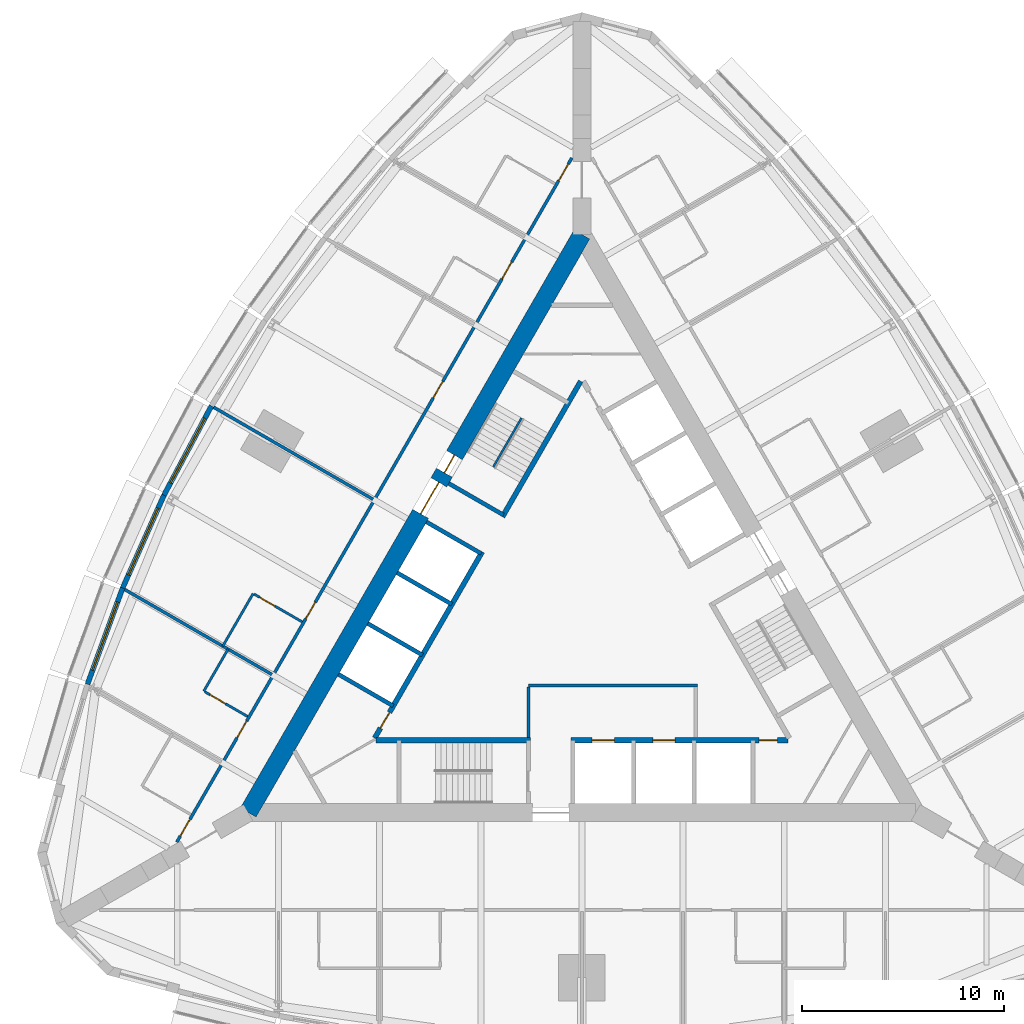
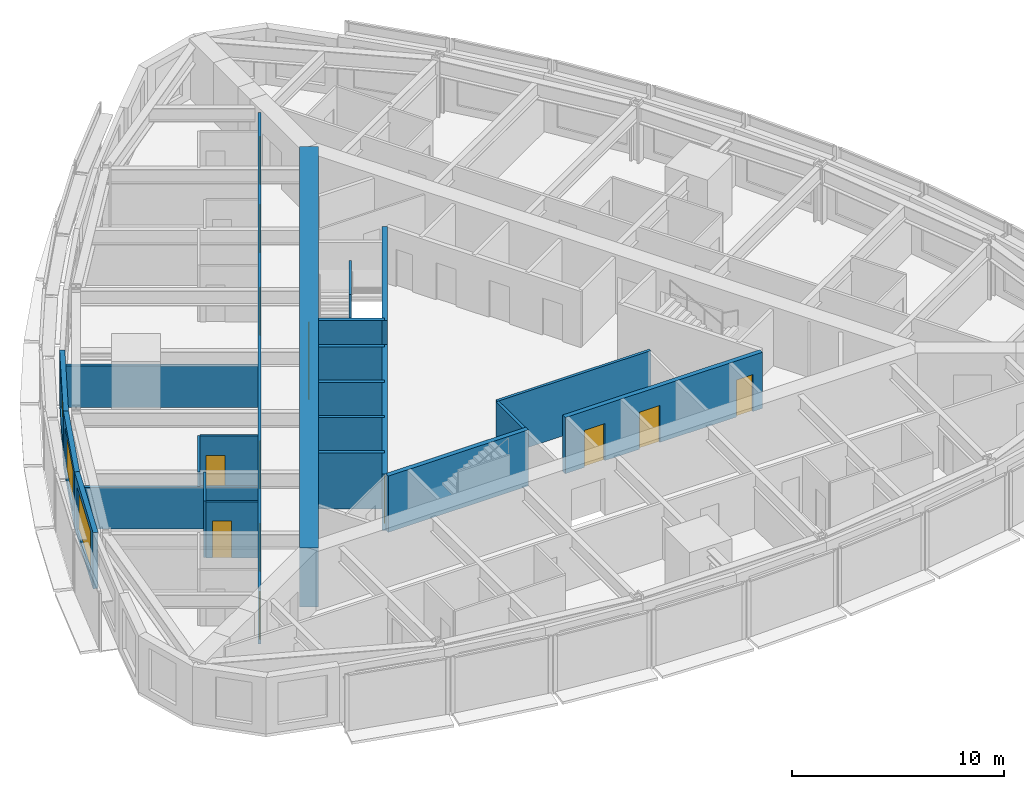
# One storey, part 9 of 14: 23 walls, 14 doors, 3 windows, 17 openings.
"""IFC4 building model written with IfcOpenShell, lengths in metres."""

from ifc_helpers import new_model, si_unit, direction, frame, frame_2d, origin, place, context, subcontext, project, spatial, rectangle, extrude, material, layer, layer_set, type_object, element, fill, save


model = new_model("IFC4")

# Units and contexts
model_context = context("Model", 3, precision=1e-05, world=origin(), true_north=direction((0.0, 1.0)))
body_context = subcontext(model_context, "Body", "Model", "MODEL_VIEW")
ifc_project = project(units=[si_unit("LENGTHUNIT", "METRE"), si_unit("AREAUNIT", "SQUARE_METRE"), si_unit("VOLUMEUNIT", "CUBIC_METRE"), si_unit("PLANEANGLEUNIT", "RADIAN"), si_unit("MASSUNIT", "GRAM", prefix="KILO")], contexts=[model_context])

# Site, building, storey
site_placement = place(None, origin())
site = spatial("IfcSite", under=ifc_project, at=site_placement, CompositionType="ELEMENT")
building_placement = place(site_placement, origin())
building = spatial("IfcBuilding", under=site, at=building_placement, Name="Trikona Tower", CompositionType="ELEMENT")
storey_placement = place(building_placement, frame((0.0, 0.0, 158.89990234375)))
storey = spatial("IfcBuildingStorey", under=building, at=storey_placement, Name="L42", CompositionType="ELEMENT", Elevation=158.89990234375)

# Wall
ifc_material_1 = material(Name="Metal stud and cement board", Category="gypsum")
ifc_layer_1 = layer(ifc_material_1, 0.1201171875)
ifc_layer_set_1 = layer_set([ifc_layer_1], Name="Bathroom wall 120")
wall_type_1 = type_object("IfcWallType", Name="Bathroom wall 120", PredefinedType="PLUMBINGWALL", material=ifc_layer_set_1)
wall_1_placement = place(storey_placement, frame((-16.25341796875, 1.301025390625, 0.0), z_axis=(0.0, 0.0, 1.0), x_axis=(-0.499990139034, -0.866031096941, 0.0)))
element("IfcWall", 1, at=wall_1_placement, inside=storey, type_object=wall_type_1, Name="Bathroom wall 4213", PredefinedType="PLUMBINGWALL", context=body_context, shape_type="SweptSolid", body=[
    extrude(rectangle(XDim=3.0, YDim=0.1201171875, at=frame_2d((1.5, 0.0))), origin(), (0.0, 0.0, 1.0), 3.235107421875),
])

# Wall, opening, door
wall_2_placement = place(storey_placement, frame((-13.82861328125, -0.09912109375, 0.0), z_axis=(0.0, 0.0, 1.0), x_axis=(-0.865997131366, 0.500048966069, 0.0)))
wall_2 = element("IfcWall", 2, at=wall_2_placement, inside=storey, type_object=wall_type_1, Name="Bathroom wall 4213", PredefinedType="PLUMBINGWALL", context=body_context, shape_type="SweptSolid", body=[
    extrude(rectangle(XDim=2.739990234375, YDim=0.1201171875, at=frame_2d((1.3701171875, 0.0))), origin(), (0.0, 0.0, 1.0), 3.235107421875),
])
opening_1_placement = place(wall_2_placement, frame((1.550048828125, 0.0, 0.0)))
opening_1 = element("IfcOpeningElement", 3, at=opening_1_placement, cuts=wall_2, Name="Opening D2", PredefinedType="OPENING", context=body_context, shape_type="SweptSolid", body=[
    extrude(rectangle(XDim=0.89990234375, YDim=2.1298828125, at=frame_2d((0.449951171875, 1.06494140625))), frame((0.0, 0.070068359375, 0.0), z_axis=(0.0, -1.0, 0.0), x_axis=(1.0, 0.0, 0.0)), (0.0, 0.0, 1.0), 0.14013671875),
])
ifc_material_2 = material(Name="Steel door frame with solid-core timber leaf", Category="steel")
door_type_1 = type_object("IfcDoorType", Name="Bathroom door 900x2130", OperationType="SLIDING_TO_LEFT", PredefinedType="DOOR", material=ifc_material_2)
door_1_placement = place(opening_1_placement, origin())
door_1 = element("IfcDoor", 4, at=door_1_placement, inside=storey, type_object=door_type_1, Name="Bathroom door 4213", OperationType="SLIDING_TO_LEFT", OverallHeight=2.1298828125, OverallWidth=0.89990234375, PredefinedType="DOOR", context=body_context, shape_type="SweptSolid", body=[
    extrude(rectangle(XDim=0.89990234375, YDim=2.1298828125, at=frame_2d((0.449951171875, 1.06494140625))), frame((0.0, 0.02490234375, 0.0), z_axis=(0.0, -1.0, 0.0), x_axis=(1.0, 0.0, 0.0)), (0.0, 0.0, 1.0), 0.050048828125),
])
fill(opening_1, door_1)

# Wall
wall_3_placement = place(storey_placement, frame((-17.493408203125, -1.447021484375, 0.0), z_axis=(0.0, 0.0, 1.0), x_axis=(-0.500033551112, -0.866006032174, 0.0)))
element("IfcWall", 5, at=wall_3_placement, inside=storey, type_object=wall_type_1, Name="Bathroom wall 4214", PredefinedType="PLUMBINGWALL", context=body_context, shape_type="SweptSolid", body=[
    extrude(rectangle(XDim=2.400146484375, YDim=0.1201171875, at=frame_2d((1.2001953125, 0.0))), origin(), (0.0, 0.0, 1.0), 3.235107421875),
])

# Wall, opening, door
wall_4_placement = place(storey_placement, frame((-16.528564453125, -4.775634765625, 0.0), z_axis=(0.0, 0.0, 1.0), x_axis=(-0.866023955769, 0.500002508028, 0.0)))
wall_4 = element("IfcWall", 6, at=wall_4_placement, inside=storey, type_object=wall_type_1, Name="Bathroom wall 4214", PredefinedType="PLUMBINGWALL", context=body_context, shape_type="SweptSolid", body=[
    extrude(rectangle(XDim=2.43994140625, YDim=0.1201171875, at=frame_2d((1.219970703125, 0.0))), origin(), (0.0, 0.0, 1.0), 3.235107421875),
])
opening_2_placement = place(wall_4_placement, frame((1.25, 0.0, 0.0)))
opening_2 = element("IfcOpeningElement", 7, at=opening_2_placement, cuts=wall_4, Name="Opening D2", PredefinedType="OPENING", context=body_context, shape_type="SweptSolid", body=[
    extrude(rectangle(XDim=0.89990234375, YDim=2.1298828125, at=frame_2d((0.449951171875, 1.06494140625))), frame((0.0, 0.070068359375, 0.0), z_axis=(0.0, -1.0, 0.0), x_axis=(1.0, 0.0, 0.0)), (0.0, 0.0, 1.0), 0.14013671875),
])
door_2_placement = place(opening_2_placement, origin())
door_2 = element("IfcDoor", 8, at=door_2_placement, inside=storey, type_object=door_type_1, Name="Bathroom door 4214", OperationType="SLIDING_TO_LEFT", OverallHeight=2.1298828125, OverallWidth=0.89990234375, PredefinedType="DOOR", context=body_context, shape_type="SweptSolid", body=[
    extrude(rectangle(XDim=0.89990234375, YDim=2.1298828125, at=frame_2d((0.449951171875, 1.06494140625))), frame((0.0, 0.02490234375, 0.0), z_axis=(0.0, -1.0, 0.0), x_axis=(1.0, 0.0, 0.0)), (0.0, 0.0, 1.0), 0.050048828125),
])
fill(opening_2, door_2)

# Wall, openings, doors
ifc_material_3 = material(Name="Concrete f'c 10000 psi", Category="concrete")
ifc_layer_2 = layer(ifc_material_3, 0.89990234375)
ifc_layer_set_2 = layer_set([ifc_layer_2], Name="Core wall 900")
wall_type_2 = type_object("IfcWallType", Name="Core wall 900", PredefinedType="SHEAR", material=ifc_layer_set_2)
wall_5_placement = place(storey_placement, frame((0.0, 19.052490234375, 0.0), z_axis=(0.0, 0.0, 1.0), x_axis=(-0.499999749417, -0.866025548458, 0.0)))
wall_5 = element("IfcWall", 9, at=wall_5_placement, inside=storey, type_object=wall_type_2, Name="Core wall C", PredefinedType="SHEAR", context=body_context, shape_type="SweptSolid", body=[
    extrude(rectangle(XDim=33.0, YDim=0.89990234375, at=frame_2d((16.5, 0.0))), origin(), (0.0, 0.0, 1.0), 3.400146484375),
])
opening_3_placement = place(wall_5_placement, frame((14.14990234375, 0.0, 0.0)))
opening_3 = element("IfcOpeningElement", 10, at=opening_3_placement, cuts=wall_5, Name="Opening D6", PredefinedType="OPENING", context=body_context, shape_type="SweptSolid", body=[
    extrude(rectangle(XDim=1.800048828125, YDim=2.1298828125, at=frame_2d((0.89990234375, 1.06494140625))), frame((0.0, 0.4599609375, 0.0), z_axis=(0.0, -1.0, 0.0), x_axis=(1.0, 0.0, 0.0)), (0.0, 0.0, 1.0), 0.919921875),
])
opening_4_placement = place(wall_5_placement, frame((12.60009765625, 0.0, 0.0)))
opening_4 = element("IfcOpeningElement", 11, at=opening_4_placement, cuts=wall_5, Name="Opening D5", PredefinedType="OPENING", context=body_context, shape_type="SweptSolid", body=[
    extrude(rectangle(XDim=1.0, YDim=2.1298828125, at=frame_2d((0.5, 1.06494140625))), frame((0.0, 0.4599609375, 0.0), z_axis=(0.0, -1.0, 0.0), x_axis=(1.0, 0.0, 0.0)), (0.0, 0.0, 1.0), 0.919921875),
])
ifc_material_4 = material(Name="Hollow metal door and frame", Category="steel")
door_type_2 = type_object("IfcDoorType", Name="Lobby door pair 1800x2130", OperationType="DOUBLE_DOOR_SINGLE_SWING", PredefinedType="DOOR", material=ifc_material_4)
door_3_placement = place(opening_3_placement, origin())
door_3 = element("IfcDoor", 12, at=door_3_placement, inside=storey, type_object=door_type_2, Name="Lift lobby door C", OperationType="DOUBLE_DOOR_SINGLE_SWING", OverallHeight=2.1298828125, OverallWidth=1.800048828125, PredefinedType="DOOR", context=body_context, shape_type="SweptSolid", body=[
    extrude(rectangle(XDim=1.800048828125, YDim=2.1298828125, at=frame_2d((0.89990234375, 1.06494140625))), frame((0.0, 0.02490234375, 0.0), z_axis=(0.0, -1.0, 0.0), x_axis=(1.0, 0.0, 0.0)), (0.0, 0.0, 1.0), 0.050048828125),
])
fill(opening_3, door_3)
ifc_material_5 = material(Name="Hollow metal door and frame", Category="steel")
door_type_3 = type_object("IfcDoorType", Name="Stair door 1000x2130", OperationType="SINGLE_SWING_LEFT", PredefinedType="DOOR", material=ifc_material_5)
door_4_placement = place(opening_4_placement, origin())
door_4 = element("IfcDoor", 13, at=door_4_placement, inside=storey, type_object=door_type_3, Name="Stair C door", OperationType="SINGLE_SWING_RIGHT", OverallHeight=2.1298828125, OverallWidth=1.0, PredefinedType="DOOR", context=body_context, shape_type="SweptSolid", body=[
    extrude(rectangle(XDim=1.0, YDim=2.1298828125, at=frame_2d((0.5, 1.06494140625))), frame((0.0, 0.02490234375, 0.0), z_axis=(0.0, -1.0, 0.0), x_axis=(1.0, 0.0, 0.0)), (0.0, 0.0, 1.0), 0.050048828125),
])
fill(opening_4, door_4)

ifc_material_6 = material(Name="Metal stud and gypsum board, 1-hour", Category="gypsum")
ifc_layer_3 = layer(ifc_material_6, 0.14990234375)
ifc_layer_set_3 = layer_set([ifc_layer_3], Name="Corridor wall 150")
wall_type_3 = type_object("IfcWallType", Name="Corridor wall 150", PredefinedType="PARTITIONING", material=ifc_layer_set_3)
wall_6_placement = place(storey_placement, frame((-0.5, 22.83642578125, 0.0), z_axis=(0.0, 0.0, 1.0), x_axis=(-0.500001677587, -0.866024435227, 0.0)))
wall_6 = element("IfcWall", 14, at=wall_6_placement, inside=storey, type_object=wall_type_3, Name="Corridor wall L42-3", PredefinedType="PARTITIONING", context=body_context, shape_type="SweptSolid", body=[
    extrude(rectangle(XDim=39.053955078125, YDim=0.14990234375, at=frame_2d((19.52685546875, 0.0))), origin(), (0.0, 0.0, 1.0), 3.235107421875),
])
opening_5_placement = place(wall_6_placement, frame((0.35205078125, 0.0, 0.0)))
opening_5 = element("IfcOpeningElement", 15, at=opening_5_placement, cuts=wall_6, Name="Opening D1", PredefinedType="OPENING", context=body_context, shape_type="SweptSolid", body=[
    extrude(rectangle(XDim=0.949951171875, YDim=2.1298828125, at=frame_2d((0.47509765625, 1.06494140625))), frame((0.0, 0.0849609375, 0.0), z_axis=(0.0, -1.0, 0.0), x_axis=(1.0, 0.0, 0.0)), (0.0, 0.0, 1.0), 0.169921875),
])
opening_6_placement = place(wall_6_placement, frame((5.951904296875, 0.0, 0.0)))
opening_6 = element("IfcOpeningElement", 16, at=opening_6_placement, cuts=wall_6, Name="Opening D1", PredefinedType="OPENING", context=body_context, shape_type="SweptSolid", body=[
    extrude(rectangle(XDim=0.949951171875, YDim=2.1298828125, at=frame_2d((0.47509765625, 1.06494140625))), frame((0.0, 0.0849609375, 0.0), z_axis=(0.0, -1.0, 0.0), x_axis=(1.0, 0.0, 0.0)), (0.0, 0.0, 1.0), 0.169921875),
])
opening_7_placement = place(wall_6_placement, frame((12.751953125, 0.0, 0.0)))
opening_7 = element("IfcOpeningElement", 17, at=opening_7_placement, cuts=wall_6, Name="Opening D1", PredefinedType="OPENING", context=body_context, shape_type="SweptSolid", body=[
    extrude(rectangle(XDim=0.949951171875, YDim=2.1298828125, at=frame_2d((0.47509765625, 1.06494140625))), frame((0.0, 0.0849609375, 0.0), z_axis=(0.0, -1.0, 0.0), x_axis=(1.0, 0.0, 0.0)), (0.0, 0.0, 1.0), 0.169921875),
])
opening_8_placement = place(wall_6_placement, frame((25.35205078125, 0.0, 0.0)))
opening_8 = element("IfcOpeningElement", 18, at=opening_8_placement, cuts=wall_6, Name="Opening D1", PredefinedType="OPENING", context=body_context, shape_type="SweptSolid", body=[
    extrude(rectangle(XDim=0.949951171875, YDim=2.1298828125, at=frame_2d((0.47509765625, 1.06494140625))), frame((0.0, 0.0849609375, 0.0), z_axis=(0.0, -1.0, 0.0), x_axis=(1.0, 0.0, 0.0)), (0.0, 0.0, 1.0), 0.169921875),
])
opening_9_placement = place(wall_6_placement, frame((32.152099609375, 0.0, 0.0)))
opening_9 = element("IfcOpeningElement", 19, at=opening_9_placement, cuts=wall_6, Name="Opening D1", PredefinedType="OPENING", context=body_context, shape_type="SweptSolid", body=[
    extrude(rectangle(XDim=0.949951171875, YDim=2.1298828125, at=frame_2d((0.47509765625, 1.06494140625))), frame((0.0, 0.0849609375, 0.0), z_axis=(0.0, -1.0, 0.0), x_axis=(1.0, 0.0, 0.0)), (0.0, 0.0, 1.0), 0.169921875),
])
opening_10_placement = place(wall_6_placement, frame((37.751953125, 0.0, 0.0)))
opening_10 = element("IfcOpeningElement", 20, at=opening_10_placement, cuts=wall_6, Name="Opening D1", PredefinedType="OPENING", context=body_context, shape_type="SweptSolid", body=[
    extrude(rectangle(XDim=0.949951171875, YDim=2.1298828125, at=frame_2d((0.47509765625, 1.06494140625))), frame((0.0, 0.0849609375, 0.0), z_axis=(0.0, -1.0, 0.0), x_axis=(1.0, 0.0, 0.0)), (0.0, 0.0, 1.0), 0.169921875),
])
ifc_material_7 = material(Name="Steel door frame with solid-core timber leaf", Category="steel")
door_type_4 = type_object("IfcDoorType", Name="Guest room door 950x2130", OperationType="SINGLE_SWING_LEFT", PredefinedType="DOOR", material=ifc_material_7)
door_5_placement = place(opening_5_placement, origin())
door_5 = element("IfcDoor", 21, at=door_5_placement, inside=storey, type_object=door_type_4, Name="Room door 4210", OperationType="SINGLE_SWING_LEFT", OverallHeight=2.1298828125, OverallWidth=0.949951171875, PredefinedType="DOOR", context=body_context, shape_type="SweptSolid", body=[
    extrude(rectangle(XDim=0.949951171875, YDim=2.1298828125, at=frame_2d((0.47509765625, 1.06494140625))), frame((0.0, 0.02490234375, 0.0), z_axis=(0.0, -1.0, 0.0), x_axis=(1.0, 0.0, 0.0)), (0.0, 0.0, 1.0), 0.050048828125),
])
fill(opening_5, door_5)
door_6_placement = place(opening_6_placement, origin())
door_6 = element("IfcDoor", 22, at=door_6_placement, inside=storey, type_object=door_type_4, Name="Room door 4211", OperationType="SINGLE_SWING_RIGHT", OverallHeight=2.1298828125, OverallWidth=0.949951171875, PredefinedType="DOOR", context=body_context, shape_type="SweptSolid", body=[
    extrude(rectangle(XDim=0.949951171875, YDim=2.1298828125, at=frame_2d((0.47509765625, 1.06494140625))), frame((0.0, 0.02490234375, 0.0), z_axis=(0.0, -1.0, 0.0), x_axis=(1.0, 0.0, 0.0)), (0.0, 0.0, 1.0), 0.050048828125),
])
fill(opening_6, door_6)
door_7_placement = place(opening_7_placement, origin())
door_7 = element("IfcDoor", 23, at=door_7_placement, inside=storey, type_object=door_type_4, Name="Room door 4212", OperationType="SINGLE_SWING_LEFT", OverallHeight=2.1298828125, OverallWidth=0.949951171875, PredefinedType="DOOR", context=body_context, shape_type="SweptSolid", body=[
    extrude(rectangle(XDim=0.949951171875, YDim=2.1298828125, at=frame_2d((0.47509765625, 1.06494140625))), frame((0.0, 0.02490234375, 0.0), z_axis=(0.0, -1.0, 0.0), x_axis=(1.0, 0.0, 0.0)), (0.0, 0.0, 1.0), 0.050048828125),
])
fill(opening_7, door_7)
door_8_placement = place(opening_8_placement, origin())
door_8 = element("IfcDoor", 24, at=door_8_placement, inside=storey, type_object=door_type_4, Name="Room door 4213", OperationType="SINGLE_SWING_RIGHT", OverallHeight=2.1298828125, OverallWidth=0.949951171875, PredefinedType="DOOR", context=body_context, shape_type="SweptSolid", body=[
    extrude(rectangle(XDim=0.949951171875, YDim=2.1298828125, at=frame_2d((0.47509765625, 1.06494140625))), frame((0.0, 0.02490234375, 0.0), z_axis=(0.0, -1.0, 0.0), x_axis=(1.0, 0.0, 0.0)), (0.0, 0.0, 1.0), 0.050048828125),
])
fill(opening_8, door_8)
door_9_placement = place(opening_9_placement, origin())
door_9 = element("IfcDoor", 25, at=door_9_placement, inside=storey, type_object=door_type_4, Name="Room door 4214", OperationType="SINGLE_SWING_LEFT", OverallHeight=2.1298828125, OverallWidth=0.949951171875, PredefinedType="DOOR", context=body_context, shape_type="SweptSolid", body=[
    extrude(rectangle(XDim=0.949951171875, YDim=2.1298828125, at=frame_2d((0.47509765625, 1.06494140625))), frame((0.0, 0.02490234375, 0.0), z_axis=(0.0, -1.0, 0.0), x_axis=(1.0, 0.0, 0.0)), (0.0, 0.0, 1.0), 0.050048828125),
])
fill(opening_9, door_9)
door_10_placement = place(opening_10_placement, origin())
door_10 = element("IfcDoor", 26, at=door_10_placement, inside=storey, type_object=door_type_4, Name="Room door 4215", OperationType="SINGLE_SWING_RIGHT", OverallHeight=2.1298828125, OverallWidth=0.949951171875, PredefinedType="DOOR", context=body_context, shape_type="SweptSolid", body=[
    extrude(rectangle(XDim=0.949951171875, YDim=2.1298828125, at=frame_2d((0.47509765625, 1.06494140625))), frame((0.0, 0.02490234375, 0.0), z_axis=(0.0, -1.0, 0.0), x_axis=(1.0, 0.0, 0.0)), (0.0, 0.0, 1.0), 0.050048828125),
])
fill(opening_10, door_10)

# Wall
ifc_material_8 = material(Name="Concrete f'c 8000 psi", Category="concrete")
ifc_layer_4 = layer(ifc_material_8, 0.25)
ifc_layer_set_4 = layer_set([ifc_layer_4], Name="Hub wall 250")
wall_type_4 = type_object("IfcWallType", Name="Hub wall 250", PredefinedType="SOLIDWALL", material=ifc_layer_set_4)
wall_7_placement = place(storey_placement, frame((-10.182861328125, -5.951416015625, 0.0), z_axis=(0.0, 0.0, 1.0), x_axis=(1.0, 0.0, 0.0)))
element("IfcWall", 27, at=wall_7_placement, inside=storey, type_object=wall_type_4, Name="Lift lobby wall A1", PredefinedType="SOLIDWALL", context=body_context, shape_type="SweptSolid", body=[
    extrude(rectangle(XDim=7.6328125, YDim=0.25, at=frame_2d((3.81640625, 0.0))), origin(), (0.0, 0.0, 1.0), 3.235107421875),
])

# Wall, openings, doors
wall_8_placement = place(storey_placement, frame((-0.550048828125, -5.951416015625, 0.0), z_axis=(0.0, 0.0, 1.0), x_axis=(1.0, 0.0, 0.0)))
wall_8 = element("IfcWall", 28, at=wall_8_placement, inside=storey, type_object=wall_type_4, Name="Lift lobby wall A2", PredefinedType="SOLIDWALL", context=body_context, shape_type="SweptSolid", body=[
    extrude(rectangle(XDim=10.73291015625, YDim=0.25, at=frame_2d((5.366455078125, 0.0))), origin(), (0.0, 0.0, 1.0), 3.235107421875),
])
opening_11_placement = place(wall_8_placement, frame((9.31396484375, 0.0, 0.0)))
opening_11 = element("IfcOpeningElement", 29, at=opening_11_placement, cuts=wall_8, Name="Opening D14", PredefinedType="OPENING", context=body_context, shape_type="SweptSolid", body=[
    extrude(rectangle(XDim=0.89990234375, YDim=2.1298828125, at=frame_2d((0.449951171875, 1.06494140625))), frame((0.0, 0.135009765625, 0.0), z_axis=(0.0, -1.0, 0.0), x_axis=(1.0, 0.0, 0.0)), (0.0, 0.0, 1.0), 0.27001953125),
])
opening_12_placement = place(wall_8_placement, frame((1.050048828125, 0.0, 0.0)))
opening_12 = element("IfcOpeningElement", 30, at=opening_12_placement, cuts=wall_8, Name="Opening LD", PredefinedType="OPENING", context=body_context, shape_type="SweptSolid", body=[
    extrude(rectangle(XDim=1.10009765625, YDim=2.1298828125, at=frame_2d((0.550048828125, 1.06494140625))), frame((0.0, 0.135009765625, 0.0), z_axis=(0.0, -1.0, 0.0), x_axis=(1.0, 0.0, 0.0)), (0.0, 0.0, 1.0), 0.27001953125),
])
opening_13_placement = place(wall_8_placement, frame((4.050048828125, 0.0, 0.0)))
opening_13 = element("IfcOpeningElement", 31, at=opening_13_placement, cuts=wall_8, Name="Opening LD", PredefinedType="OPENING", context=body_context, shape_type="SweptSolid", body=[
    extrude(rectangle(XDim=1.10009765625, YDim=2.1298828125, at=frame_2d((0.550048828125, 1.06494140625))), frame((0.0, 0.135009765625, 0.0), z_axis=(0.0, -1.0, 0.0), x_axis=(1.0, 0.0, 0.0)), (0.0, 0.0, 1.0), 0.27001953125),
])
ifc_material_9 = material(Name="Stainless steel lift landing door", Category="steel")
door_type_5 = type_object("IfcDoorType", Name="Lift landing door 1100x2130", OperationType="DOUBLE_DOOR_SLIDING", PredefinedType="USERDEFINED", material=ifc_material_9)
door_11_placement = place(opening_12_placement, origin())
door_11 = element("IfcDoor", 32, at=door_11_placement, inside=storey, type_object=door_type_5, Name="Lift landing door FF1", ObjectType="LIFT LANDING DOOR", OperationType="DOUBLE_DOOR_SLIDING", OverallHeight=2.1298828125, OverallWidth=1.10009765625, PredefinedType="USERDEFINED", context=body_context, shape_type="SweptSolid", body=[
    extrude(rectangle(XDim=1.10009765625, YDim=2.1298828125, at=frame_2d((0.550048828125, 1.06494140625))), frame((0.0, 0.02490234375, 0.0), z_axis=(0.0, -1.0, 0.0), x_axis=(1.0, 0.0, 0.0)), (0.0, 0.0, 1.0), 0.050048828125),
])
fill(opening_12, door_11)
door_12_placement = place(opening_13_placement, origin())
door_12 = element("IfcDoor", 33, at=door_12_placement, inside=storey, type_object=door_type_5, Name="Lift landing door FF2", ObjectType="LIFT LANDING DOOR", OperationType="DOUBLE_DOOR_SLIDING", OverallHeight=2.1298828125, OverallWidth=1.10009765625, PredefinedType="USERDEFINED", context=body_context, shape_type="SweptSolid", body=[
    extrude(rectangle(XDim=1.10009765625, YDim=2.1298828125, at=frame_2d((0.550048828125, 1.06494140625))), frame((0.0, 0.02490234375, 0.0), z_axis=(0.0, -1.0, 0.0), x_axis=(1.0, 0.0, 0.0)), (0.0, 0.0, 1.0), 0.050048828125),
])
fill(opening_13, door_12)
ifc_material_10 = material(Name="Hollow metal door and frame", Category="steel")
door_type_6 = type_object("IfcDoorType", Name="Service room door 900x2130", OperationType="SINGLE_SWING_LEFT", PredefinedType="DOOR", material=ifc_material_10)
door_13_placement = place(opening_11_placement, origin())
door_13 = element("IfcDoor", 34, at=door_13_placement, inside=storey, type_object=door_type_6, Name="Door Linen store LIN", OperationType="SINGLE_SWING_RIGHT", OverallHeight=2.1298828125, OverallWidth=0.89990234375, PredefinedType="DOOR", context=body_context, shape_type="SweptSolid", body=[
    extrude(rectangle(XDim=0.89990234375, YDim=2.1298828125, at=frame_2d((0.449951171875, 1.06494140625))), frame((0.0, 0.02490234375, 0.0), z_axis=(0.0, -1.0, 0.0), x_axis=(1.0, 0.0, 0.0)), (0.0, 0.0, 1.0), 0.050048828125),
])
fill(opening_11, door_13)

# Wall
wall_9_placement = place(storey_placement, frame((-0.0625, 11.794189453125, 0.0), z_axis=(0.0, 0.0, 1.0), x_axis=(-0.500006680225, -0.86602154692, 0.0)))
element("IfcWall", 35, at=wall_9_placement, inside=storey, type_object=wall_type_4, Name="Lift lobby wall C1", PredefinedType="SOLIDWALL", context=body_context, shape_type="SweptSolid", body=[
    extrude(rectangle(XDim=7.73291015625, YDim=0.25, at=frame_2d((3.866455078125, 0.0))), origin(), (0.0, 0.0, 1.0), 3.235107421875),
])

# Wall, opening, door
wall_10_placement = place(storey_placement, frame((-4.928955078125, 3.365478515625, 0.0), z_axis=(0.0, 0.0, 1.0), x_axis=(-0.499991433582, -0.866030349552, 0.0)))
wall_10 = element("IfcWall", 36, at=wall_10_placement, inside=storey, type_object=wall_type_4, Name="Lift lobby wall C2", PredefinedType="SOLIDWALL", context=body_context, shape_type="SweptSolid", body=[
    extrude(rectangle(XDim=10.633056640625, YDim=0.25, at=frame_2d((5.31640625, 0.0))), origin(), (0.0, 0.0, 1.0), 3.235107421875),
])
opening_14_placement = place(wall_10_placement, frame((9.1640625, 0.0, 0.0)))
opening_14 = element("IfcOpeningElement", 37, at=opening_14_placement, cuts=wall_10, Name="Opening D14", PredefinedType="OPENING", context=body_context, shape_type="SweptSolid", body=[
    extrude(rectangle(XDim=0.89990234375, YDim=2.1298828125, at=frame_2d((0.449951171875, 1.06494140625))), frame((0.0, 0.135009765625, 0.0), z_axis=(0.0, -1.0, 0.0), x_axis=(1.0, 0.0, 0.0)), (0.0, 0.0, 1.0), 0.27001953125),
])
door_14_placement = place(opening_14_placement, origin())
door_14 = element("IfcDoor", 38, at=door_14_placement, inside=storey, type_object=door_type_6, Name="Door Ice and vending ICE", OperationType="SINGLE_SWING_RIGHT", OverallHeight=2.1298828125, OverallWidth=0.89990234375, PredefinedType="DOOR", context=body_context, shape_type="SweptSolid", body=[
    extrude(rectangle(XDim=0.89990234375, YDim=2.1298828125, at=frame_2d((0.449951171875, 1.06494140625))), frame((0.0, 0.02490234375, 0.0), z_axis=(0.0, -1.0, 0.0), x_axis=(1.0, 0.0, 0.0)), (0.0, 0.0, 1.0), 0.050048828125),
])
fill(opening_14, door_14)

# Wall, opening, window
ifc_material_11 = material(Name="Insulated precast concrete spandrel panel", Category="concrete")
ifc_layer_5 = layer(ifc_material_11, 0.25)
ifc_layer_set_5 = layer_set([ifc_layer_5], Name="Inner skin wall 250")
wall_type_5 = type_object("IfcWallType", Name="Inner skin wall 250", PredefinedType="STANDARD", material=ifc_layer_set_5)
wall_11_placement = place(storey_placement, frame((-18.314453125, 10.578857421875, 0.0), z_axis=(0.0, 0.0, 1.0), x_axis=(-0.469404966864, -0.882982999317, 0.0)))
wall_11 = element("IfcWall", 39, at=wall_11_placement, inside=storey, type_object=wall_type_5, Name="External wall L42-28", PredefinedType="STANDARD", context=body_context, shape_type="SweptSolid", body=[
    extrude(rectangle(XDim=5.0029296875, YDim=0.25, at=frame_2d((2.50146484375, 0.0))), origin(), (0.0, 0.0, 1.0), 3.235107421875),
])
opening_15_placement = place(wall_11_placement, frame((0.701416015625, 0.0, 0.449951171875)))
opening_15 = element("IfcOpeningElement", 40, at=opening_15_placement, cuts=wall_11, Name="Opening W3624", PredefinedType="OPENING", context=body_context, shape_type="SweptSolid", body=[
    extrude(rectangle(XDim=3.60009765625, YDim=2.39990234375, at=frame_2d((1.800048828125, 1.199951171875))), frame((0.0, 0.135009765625, 0.0), z_axis=(0.0, -1.0, 0.0), x_axis=(1.0, 0.0, 0.0)), (0.0, 0.0, 1.0), 0.27001953125),
])
ifc_material_12 = material(Name="Aluminium-framed double glazing", Category="aluminium")
window_type = type_object("IfcWindowType", Name="Window 3600x2400", PartitioningType="SINGLE_PANEL", PredefinedType="WINDOW", material=ifc_material_12)
window_1_placement = place(opening_15_placement, origin())
window_1 = element("IfcWindow", 41, at=window_1_placement, inside=storey, type_object=window_type, Name="Window 4213", OverallHeight=2.39990234375, OverallWidth=3.60009765625, PartitioningType="SINGLE_PANEL", PredefinedType="WINDOW", context=body_context, shape_type="SweptSolid", body=[
    extrude(rectangle(XDim=3.60009765625, YDim=2.39990234375, at=frame_2d((1.800048828125, 1.199951171875))), frame((0.0, 0.030029296875, 0.0), z_axis=(0.0, -1.0, 0.0), x_axis=(1.0, 0.0, 0.0)), (0.0, 0.0, 1.0), 0.06005859375),
])
fill(opening_15, window_1)

wall_12_placement = place(storey_placement, frame((-20.6591796875, 6.169189453125, 0.0), z_axis=(0.0, 0.0, 1.0), x_axis=(-0.406832200364, -0.913502906808, 0.0)))
wall_12 = element("IfcWall", 42, at=wall_12_placement, inside=storey, type_object=wall_type_5, Name="External wall L42-29", PredefinedType="STANDARD", context=body_context, shape_type="SweptSolid", body=[
    extrude(rectangle(XDim=5.027587890625, YDim=0.25, at=frame_2d((2.513671875, 0.0))), origin(), (0.0, 0.0, 1.0), 3.235107421875),
])
opening_16_placement = place(wall_12_placement, frame((0.713623046875, 0.0, 0.449951171875)))
opening_16 = element("IfcOpeningElement", 43, at=opening_16_placement, cuts=wall_12, Name="Opening W3624", PredefinedType="OPENING", context=body_context, shape_type="SweptSolid", body=[
    extrude(rectangle(XDim=3.60009765625, YDim=2.39990234375, at=frame_2d((1.800048828125, 1.199951171875))), frame((0.0, 0.135009765625, 0.0), z_axis=(0.0, -1.0, 0.0), x_axis=(1.0, 0.0, 0.0)), (0.0, 0.0, 1.0), 0.27001953125),
])
window_2_placement = place(opening_16_placement, origin())
window_2 = element("IfcWindow", 44, at=window_2_placement, inside=storey, type_object=window_type, Name="Window 4213", OverallHeight=2.39990234375, OverallWidth=3.60009765625, PartitioningType="SINGLE_PANEL", PredefinedType="WINDOW", context=body_context, shape_type="SweptSolid", body=[
    extrude(rectangle(XDim=3.60009765625, YDim=2.39990234375, at=frame_2d((1.800048828125, 1.199951171875))), frame((0.0, 0.030029296875, 0.0), z_axis=(0.0, -1.0, 0.0), x_axis=(1.0, 0.0, 0.0)), (0.0, 0.0, 1.0), 0.06005859375),
])
fill(opening_16, window_2)

wall_13_placement = place(storey_placement, frame((-22.701416015625, 1.58447265625, 0.0), z_axis=(0.0, 0.0, 1.0), x_axis=(-0.343225593282, -0.939252996863, 0.0)))
wall_13 = element("IfcWall", 45, at=wall_13_placement, inside=storey, type_object=wall_type_5, Name="External wall L42-30", PredefinedType="STANDARD", context=body_context, shape_type="SweptSolid", body=[
    extrude(rectangle(XDim=5.075927734375, YDim=0.25, at=frame_2d((2.5380859375, 0.0))), origin(), (0.0, 0.0, 1.0), 3.235107421875),
])
opening_17_placement = place(wall_13_placement, frame((0.738037109375, 0.0, 0.449951171875)))
opening_17 = element("IfcOpeningElement", 46, at=opening_17_placement, cuts=wall_13, Name="Opening W3624", PredefinedType="OPENING", context=body_context, shape_type="SweptSolid", body=[
    extrude(rectangle(XDim=3.60009765625, YDim=2.39990234375, at=frame_2d((1.800048828125, 1.199951171875))), frame((0.0, 0.135009765625, 0.0), z_axis=(0.0, -1.0, 0.0), x_axis=(1.0, 0.0, 0.0)), (0.0, 0.0, 1.0), 0.27001953125),
])
window_3_placement = place(opening_17_placement, origin())
window_3 = element("IfcWindow", 47, at=window_3_placement, inside=storey, type_object=window_type, Name="Window 4214", OverallHeight=2.39990234375, OverallWidth=3.60009765625, PartitioningType="SINGLE_PANEL", PredefinedType="WINDOW", context=body_context, shape_type="SweptSolid", body=[
    extrude(rectangle(XDim=3.60009765625, YDim=2.39990234375, at=frame_2d((1.800048828125, 1.199951171875))), frame((0.0, 0.030029296875, 0.0), z_axis=(0.0, -1.0, 0.0), x_axis=(1.0, 0.0, 0.0)), (0.0, 0.0, 1.0), 0.06005859375),
])
fill(opening_17, window_3)

# Walls
ifc_material_13 = material(Name="Metal stud and gypsum board, 2-hour shaft wall", Category="gypsum")
ifc_layer_6 = layer(ifc_material_13, 0.14990234375)
ifc_layer_set_6 = layer_set([ifc_layer_6], Name="Lobby wall 150")
wall_type_6 = type_object("IfcWallType", Name="Lobby wall 150", PredefinedType="PARTITIONING", material=ifc_layer_set_6)
wall_14_placement = place(storey_placement, frame((-2.64990234375, -3.251220703125, 0.0), z_axis=(0.0, 0.0, 1.0), x_axis=(1.0, 0.0, 0.0)))
element("IfcWall", 48, at=wall_14_placement, inside=storey, type_object=wall_type_6, Name="Fire service lift lobby wall 1", PredefinedType="PARTITIONING", context=body_context, shape_type="SweptSolid", body=[
    extrude(rectangle(XDim=8.349853515625, YDim=0.14990234375, at=frame_2d((4.1748046875, 0.0))), origin(), (0.0, 0.0, 1.0), 3.235107421875),
])
wall_15_placement = place(storey_placement, frame((-2.64990234375, -5.826416015625, 0.0), z_axis=(0.0, 0.0, 1.0), x_axis=(0.0, 1.0, 0.0)))
element("IfcWall", 49, at=wall_15_placement, inside=storey, type_object=wall_type_6, Name="Fire service lift lobby wall 2", PredefinedType="PARTITIONING", context=body_context, shape_type="SweptSolid", body=[
    extrude(rectangle(XDim=2.5, YDim=0.14990234375, at=frame_2d((1.25, 0.0))), origin(), (0.0, 0.0, 1.0), 3.235107421875),
])
ifc_material_14 = material(Name="Metal stud and gypsum board, 1-hour acoustic", Category="gypsum")
ifc_layer_7 = layer(ifc_material_14, 0.14990234375)
ifc_layer_set_7 = layer_set([ifc_layer_7], Name="Party wall 150")
wall_type_7 = type_object("IfcWallType", Name="Party wall 150", PredefinedType="PARTITIONING", material=ifc_layer_set_7)
wall_16_placement = place(storey_placement, frame((-10.32861328125, 5.963134765625, 0.0), z_axis=(0.0, 0.0, 1.0), x_axis=(-0.866025170687, 0.500000403736, 0.0)))
element("IfcWall", 50, at=wall_16_placement, inside=storey, type_object=wall_type_7, Name="Partition L42 F3 u0", PredefinedType="PARTITIONING", context=body_context, shape_type="SweptSolid", body=[
    extrude(rectangle(XDim=9.0986328125, YDim=0.14990234375, at=frame_2d((4.54931640625, 0.0))), origin(), (0.0, 0.0, 1.0), 2.389404296875),
])
wall_17_placement = place(storey_placement, frame((-15.32861328125, -2.697021484375, 0.0), z_axis=(0.0, 0.0, 1.0), x_axis=(-0.866024316602, 0.50000188305, 0.0)))
element("IfcWall", 51, at=wall_17_placement, inside=storey, type_object=wall_type_7, Name="Partition L42 F3 u10", PredefinedType="PARTITIONING", context=body_context, shape_type="SweptSolid", body=[
    extrude(rectangle(XDim=8.39501953125, YDim=0.14990234375, at=frame_2d((4.197509765625, 0.0))), origin(), (0.0, 0.0, 1.0), 2.389404296875),
])
ifc_material_15 = material(Name="Concrete f'c 8000 psi", Category="concrete")
ifc_layer_8 = layer(ifc_material_15, 0.199951171875)
ifc_layer_set_8 = layer_set([ifc_layer_8], Name="Shaft wall 200")
wall_type_8 = type_object("IfcWallType", Name="Shaft wall 200", PredefinedType="SOLIDWALL", material=ifc_layer_set_8)
for number, where, z_axis, x_axis, name in (
    (52, (-4.97900390625, 3.27880859375, 0.0), (0.0, 0.0, 1.0), (-0.866022959057, 0.500004234368, 0.0), "Shaft wall C3"),
    (53, (-6.428955078125, 0.767333984375, 0.0), (0.0, 0.0, 1.0), (-0.866022959057, 0.500004234368, 0.0), "Shaft wall C4"),
    (54, (-7.87890625, -1.744140625, 0.0), (0.0, 0.0, 1.0), (-0.866022959057, 0.500004234368, 0.0), "Shaft wall C5"),
    (55, (-9.3291015625, -4.255615234375, 0.0), (0.0, 0.0, 1.0), (-0.866022959057, 0.500004234368, 0.0), "Shaft wall C6"),
):
    element("IfcWall", number, at=place(storey_placement, frame(where, z_axis=z_axis, x_axis=x_axis)), inside=storey, type_object=wall_type_8, Name=name, PredefinedType="SOLIDWALL", context=body_context, shape_type="SweptSolid", body=[
        extrude(rectangle(XDim=3.125, YDim=0.199951171875, at=frame_2d((1.5625, 0.0))), origin(), (0.0, 0.0, 1.0), 3.235107421875),
    ])
ifc_material_16 = material(Name="Concrete f'c 8000 psi", Category="concrete")
ifc_layer_9 = layer(ifc_material_16, 0.199951171875)
ifc_layer_set_9 = layer_set([ifc_layer_9], Name="Shaft wall 200 load-bearing")
wall_type_9 = type_object("IfcWallType", Name="Shaft wall 200 load-bearing", PredefinedType="SOLIDWALL", material=ifc_layer_set_9)
wall_18_placement = place(storey_placement, frame((-3.87890625, 5.18408203125, 0.0), z_axis=(0.0, 0.0, 1.0), x_axis=(-0.866022959057, 0.500004234368, 0.0)))
element("IfcWall", 56, at=wall_18_placement, inside=storey, type_object=wall_type_9, Name="Shaft wall C2", PredefinedType="SOLIDWALL", context=body_context, shape_type="SweptSolid", body=[
    extrude(rectangle(XDim=3.125, YDim=0.199951171875, at=frame_2d((1.5625, 0.0))), origin(), (0.0, 0.0, 1.0), 3.235107421875),
])
ifc_material_17 = material(Name="Concrete f'c 5000 psi", Category="concrete")
ifc_layer_10 = layer(ifc_material_17, 0.10009765625)
ifc_layer_set_10 = layer_set([ifc_layer_10], Name="Stair spine wall 100")
wall_type_10 = type_object("IfcWallType", Name="Stair spine wall 100", PredefinedType="SOLIDWALL", material=ifc_layer_set_10)
wall_19_placement = place(storey_placement, frame((-2.98779296875, 9.9775390625, 0.0), z_axis=(0.0, 0.0, 1.0), x_axis=(-0.499992232847, -0.866029888106, 0.0)))
element("IfcWall", 57, at=wall_19_placement, inside=storey, type_object=wall_type_10, Name="Stair C spine wall L42", PredefinedType="SOLIDWALL", context=body_context, shape_type="SweptSolid", body=[
    extrude(rectangle(XDim=2.7939453125, YDim=0.10009765625, at=frame_2d((1.39697265625, 0.0))), origin(), (0.0, 0.0, 1.0), 3.400146484375),
])

save(model, "model.ifc")
